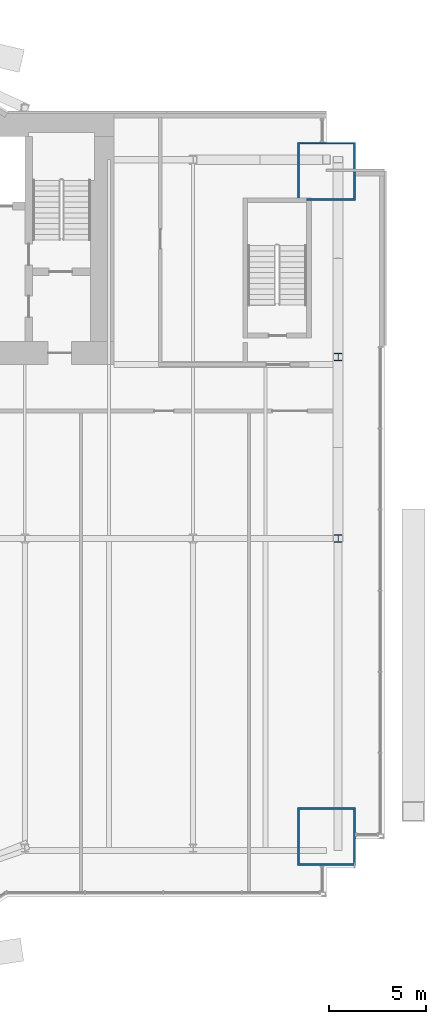
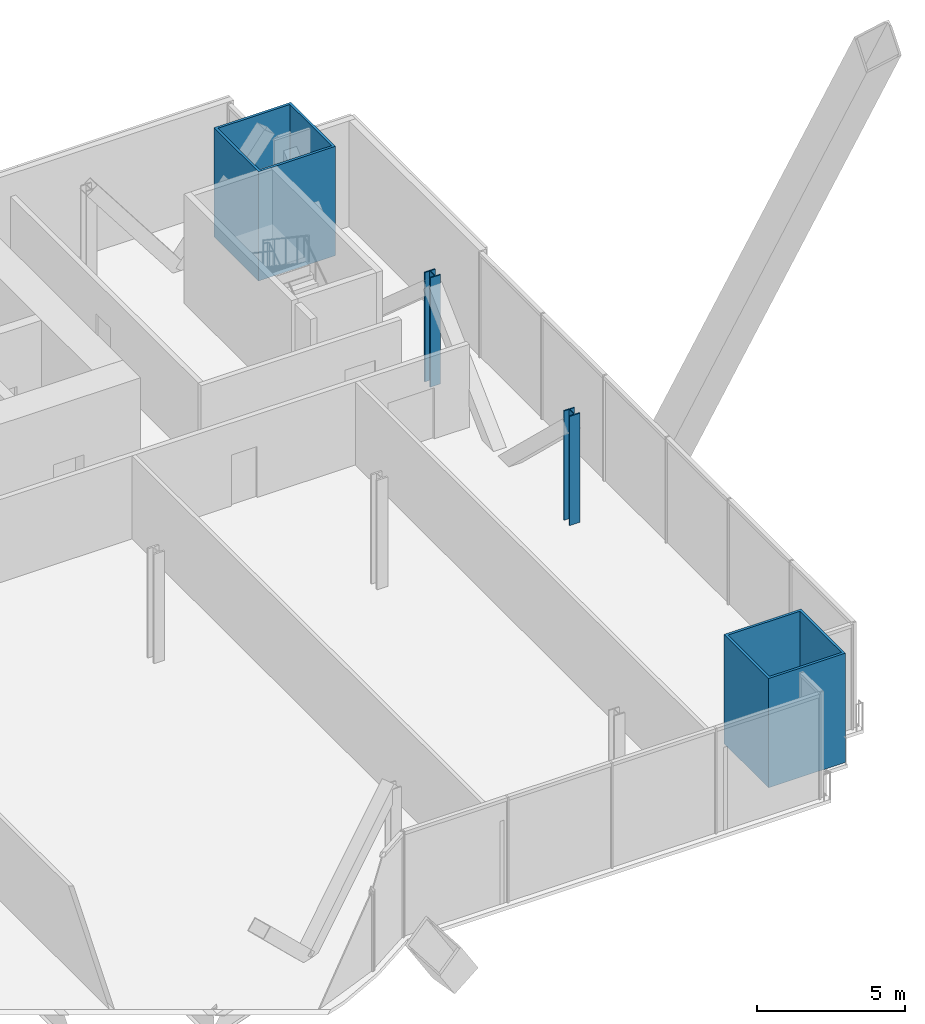
# One storey, part 3 of 23: 4 columns.
"""IFC4 building model written with IfcOpenShell, lengths in metres."""

from ifc_helpers import new_model, si_unit, direction, frame, origin, origin_2d, place, context, subcontext, project, spatial, hollow_rectangle, i_section, extrude, material, material_profile, profile_set, type_object, element, save


model = new_model("IFC4")

# Units and contexts
model_context = context("Model", 3, precision=1e-05, world=origin(), true_north=direction((0.0, 1.0)))
body_context = subcontext(model_context, "Body", "Model", "MODEL_VIEW")
ifc_project = project(units=[si_unit("LENGTHUNIT", "METRE"), si_unit("AREAUNIT", "SQUARE_METRE"), si_unit("VOLUMEUNIT", "CUBIC_METRE"), si_unit("PLANEANGLEUNIT", "RADIAN"), si_unit("MASSUNIT", "GRAM", prefix="KILO")], contexts=[model_context])

# Site, building, storey
site_placement = place(None, origin())
site = spatial("IfcSite", under=ifc_project, at=site_placement, CompositionType="ELEMENT")
building_placement = place(site_placement, origin())
building = spatial("IfcBuilding", under=site, at=building_placement, Name="Bicima Exchange Tower", CompositionType="ELEMENT")
storey_placement = place(building_placement, frame((0.0, 0.0, 62.0)))
storey = spatial("IfcBuildingStorey", under=building, at=storey_placement, Name="L12", CompositionType="ELEMENT", Elevation=62.0)

# Columns
ifc_material_1 = material(Name="Steel ASTM A572 Gr 50", Category="steel")
ifc_material_profile_1 = material_profile(ifc_material_1, hollow_rectangle(XDim=3.0, YDim=3.0, WallThickness=0.10009765625, at=origin_2d()))
ifc_profile_set_1 = profile_set([ifc_material_profile_1], Name="Steel ASTM A572 Gr 50")
column_type_1 = type_object("IfcColumnType", Name="Mega column BOX 3000x3000x100", PredefinedType="COLUMN", material=ifc_profile_set_1)
for number, where, z_axis, x_axis, name in (
    (1, (33.0, -37.4140625, 0.0), (0.0, 0.0, 1.0), (1.0, 0.0, 0.0), "Mega column mega+33.0f"),
    (2, (33.0, -3.0, 0.0), (0.0, 0.0, 1.0), (1.0, 0.0, 0.0), "Mega column mega+33.0r"),
):
    element("IfcColumn", number, at=place(storey_placement, frame(where, z_axis=z_axis, x_axis=x_axis)), inside=storey, type_object=column_type_1, Name=name, PredefinedType="COLUMN", context=body_context, shape_type="SweptSolid", body=[
        extrude(hollow_rectangle(XDim=3.0, YDim=3.0, WallThickness=0.10009765625, at=origin_2d()), origin(), (0.0, 0.0, 1.0), 4.5),
    ])
ifc_material_2 = material(Name="Steel ASTM A992 Gr 50", Category="steel")
ifc_material_profile_2 = material_profile(ifc_material_2, i_section(OverallWidth=0.406494140625, OverallDepth=0.41650390625, WebThickness=0.030029296875, FlangeThickness=0.048095703125, at=origin_2d()))
ifc_profile_set_2 = profile_set([ifc_material_profile_2], Name="Steel ASTM A992 Gr 50")
column_type_2 = type_object("IfcColumnType", Name="Perimeter column W14x257", PredefinedType="COLUMN", material=ifc_profile_set_2)
for number, where, z_axis, x_axis, name in (
    (3, (33.60009765625, -12.60009765625, 0.0), (0.0, 0.0, 1.0), (1.0, 0.0, 0.0), "End column end+33.6e"),
    (4, (33.60009765625, -22.0, 0.0), (0.0, 0.0, 1.0), (1.0, 0.0, 0.0), "End column end+33.6e"),
):
    element("IfcColumn", number, at=place(storey_placement, frame(where, z_axis=z_axis, x_axis=x_axis)), inside=storey, type_object=column_type_2, Name=name, PredefinedType="COLUMN", context=body_context, shape_type="SweptSolid", body=[
        extrude(i_section(OverallWidth=0.406494140625, OverallDepth=0.41650390625, WebThickness=0.030029296875, FlangeThickness=0.048095703125, at=origin_2d()), origin(), (0.0, 0.0, 1.0), 4.5),
    ])

save(model, "model.ifc")
